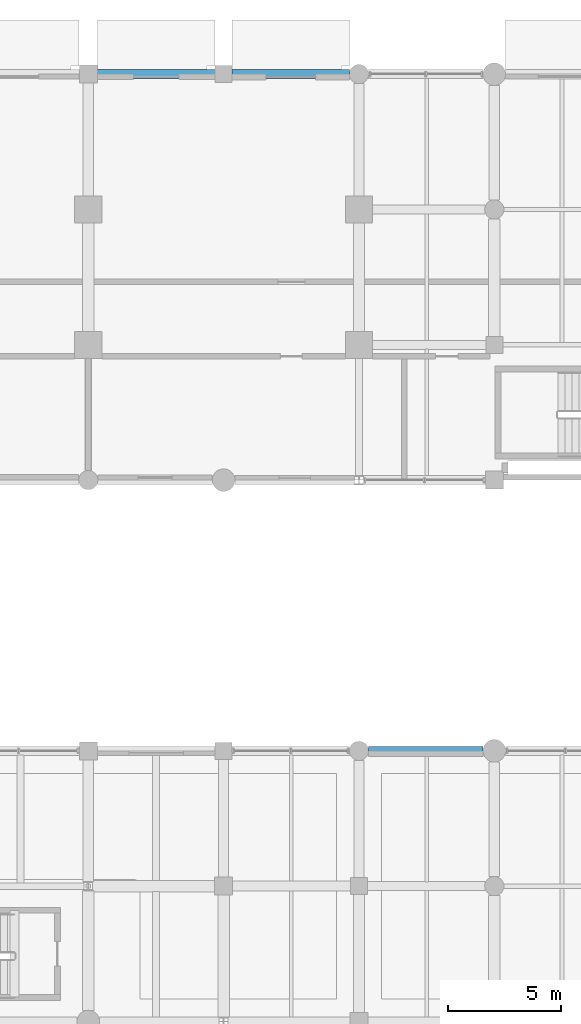
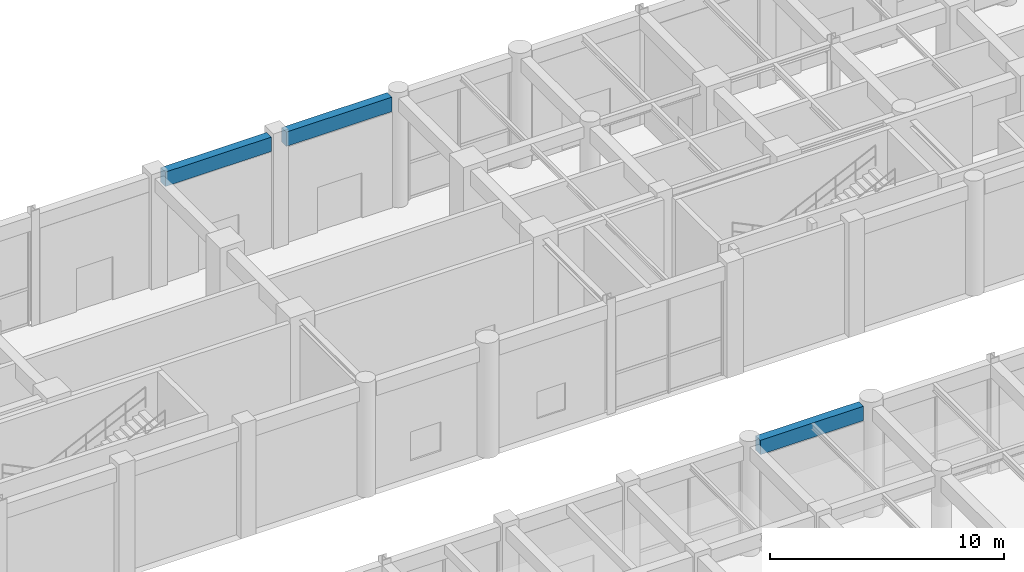
# One storey, part 44 of 106: 3 beams.
"""IFC4 building model written with IfcOpenShell, lengths in metres."""

from ifc_helpers import new_model, si_unit, direction, frame, origin, origin_2d, place, context, subcontext, project, spatial, rectangle, extrude, material, material_profile, profile_set, type_object, element, save


model = new_model("IFC4")

# Units and contexts
model_context = context("Model", 3, precision=1e-05, world=origin(), true_north=direction((0.0, 1.0)))
body_context = subcontext(model_context, "Body", "Model", "MODEL_VIEW")
ifc_project = project(units=[si_unit("LENGTHUNIT", "METRE"), si_unit("AREAUNIT", "SQUARE_METRE"), si_unit("VOLUMEUNIT", "CUBIC_METRE"), si_unit("PLANEANGLEUNIT", "RADIAN"), si_unit("MASSUNIT", "GRAM", prefix="KILO"), si_unit("THERMODYNAMICTEMPERATUREUNIT", "KELVIN"), si_unit("POWERUNIT", "WATT")], contexts=[model_context])

# Site, building, storey
site_placement = place(None, origin())
site = spatial("IfcSite", under=ifc_project, at=site_placement, CompositionType="ELEMENT")
building_placement = place(site_placement, origin())
building = spatial("IfcBuilding", under=site, at=building_placement, Name="Phaisarnlok Congress Hotel", CompositionType="ELEMENT")
storey_placement = place(building_placement, origin())
storey = spatial("IfcBuildingStorey", under=building, at=storey_placement, Name="L00", CompositionType="ELEMENT", Elevation=0.0)

# Beams
ifc_material = material(Name="Concrete C40/50", Category="concrete")
ifc_material_profile = material_profile(ifc_material, rectangle(XDim=0.39990234375, YDim=0.75, at=origin_2d()), Name="RC 400x750")
ifc_profile_set = profile_set([ifc_material_profile], Name="Concrete C40/50")
beam_type = type_object("IfcBeamType", Name="SP-RC-400x750", PredefinedType="SPANDREL", material=ifc_profile_set)
beam_1_placement = place(storey_placement, frame((84.39501953125, 126.0, 5.364990234375), z_axis=(1.0, 0.0, 0.0), x_axis=(0.0, 1.0, 0.0)))
element("IfcBeam", 1, at=beam_1_placement, inside=storey, type_object=beam_type, Name="Beam SP-02", PredefinedType="SPANDREL", context=body_context, shape_type="SweptSolid", body=[
    extrude(rectangle(XDim=0.39990234375, YDim=0.75, at=origin_2d()), origin(), (0.0, 0.0, 1.0), 5.23486328125),
])
beam_2_placement = place(storey_placement, frame((90.3701171875, 126.0, 5.364990234375), z_axis=(1.0, 0.0, 0.0), x_axis=(0.0, 1.0, 0.0)))
element("IfcBeam", 2, at=beam_2_placement, inside=storey, type_object=beam_type, Name="Beam SP-02", PredefinedType="SPANDREL", context=body_context, shape_type="SweptSolid", body=[
    extrude(rectangle(XDim=0.39990234375, YDim=0.75, at=origin_2d()), origin(), (0.0, 0.0, 1.0), 5.2099609375),
])
beam_3_placement = place(storey_placement, frame((96.419921875, 96.0, 5.364990234375), z_axis=(1.0, 0.0, 0.0), x_axis=(0.0, 1.0, 0.0)))
element("IfcBeam", 3, at=beam_3_placement, inside=storey, type_object=beam_type, Name="Beam SP-02", PredefinedType="SPANDREL", context=body_context, shape_type="SweptSolid", body=[
    extrude(rectangle(XDim=0.39990234375, YDim=0.75, at=origin_2d()), origin(), (0.0, 0.0, 1.0), 5.0849609375),
])

save(model, "model.ifc")
